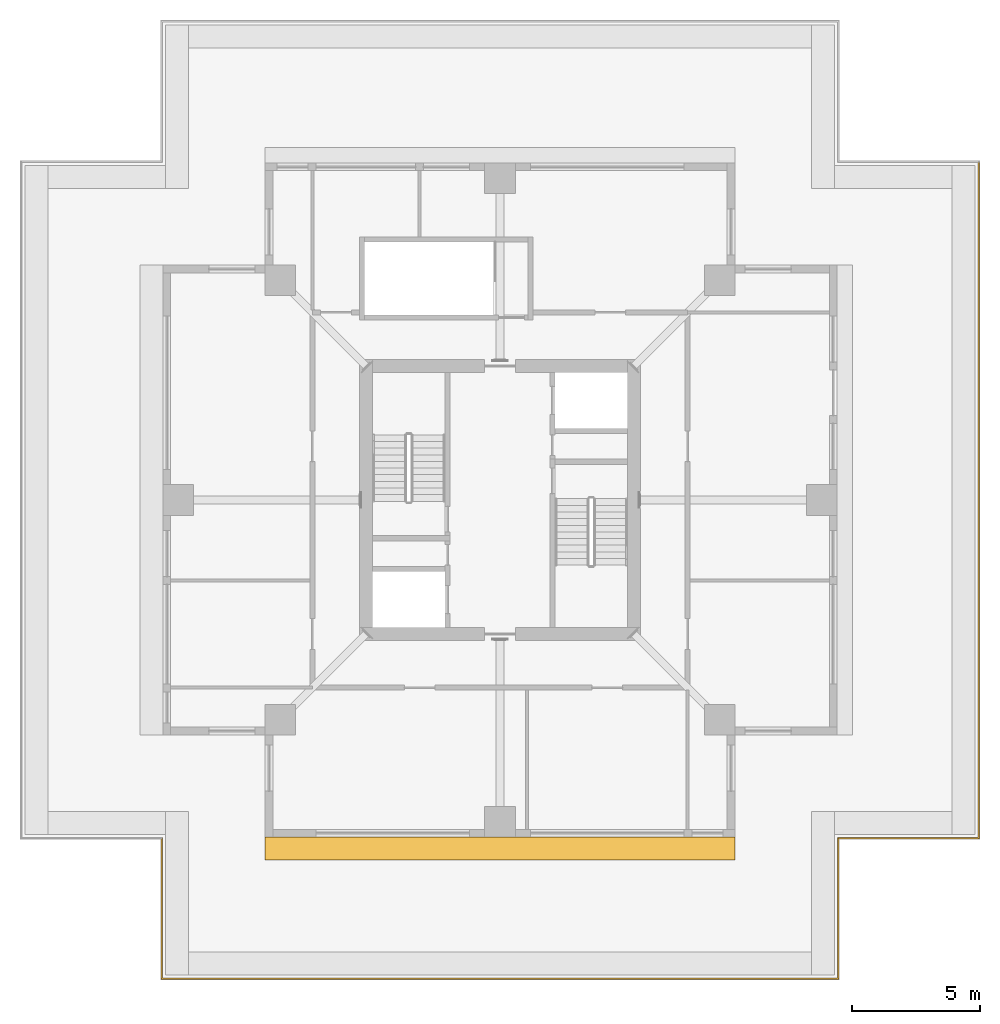
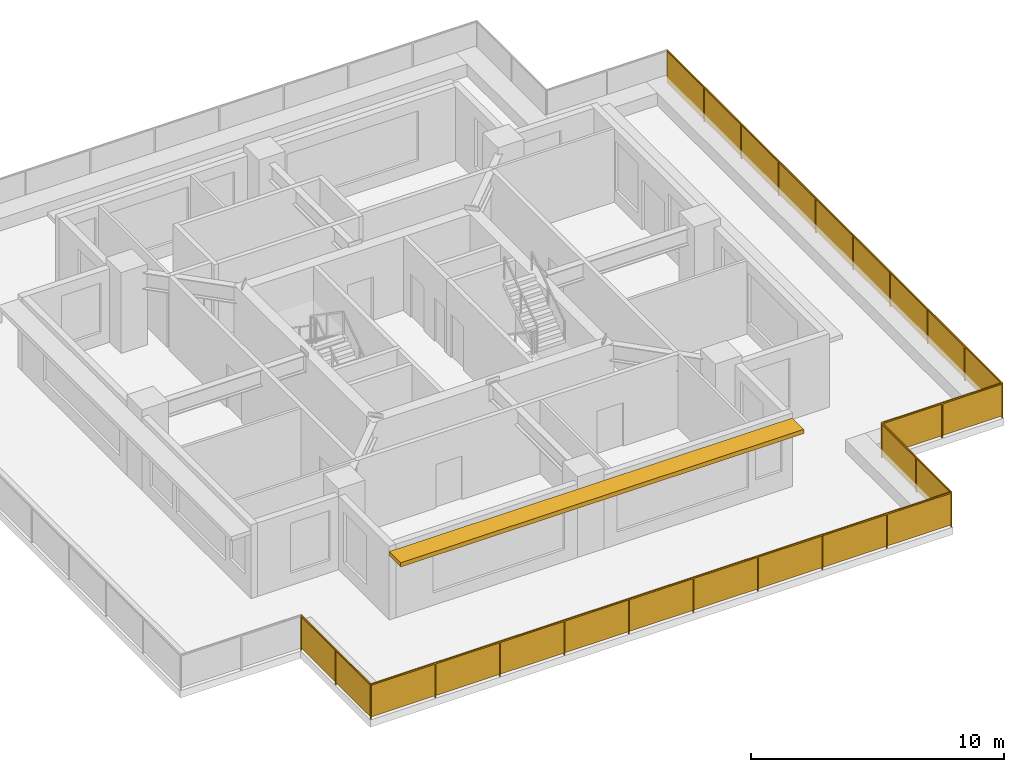
# One storey, part 6 of 8: 1 railing, 1 shading device.
"""IFC4 building model written with IfcOpenShell, lengths in metres."""

from ifc_helpers import new_model, si_unit, direction, frame, origin, origin_2d, place, context, subcontext, project, spatial, polyline, rectangle, outline, extrude, material, layer, layer_set, type_object, element, save


model = new_model("IFC4")

# Units and contexts
model_context = context("Model", 3, precision=1e-05, world=origin(), true_north=direction((0.0, 1.0)))
body_context = subcontext(model_context, "Body", "Model", "MODEL_VIEW")
ifc_project = project(units=[si_unit("LENGTHUNIT", "METRE"), si_unit("AREAUNIT", "SQUARE_METRE"), si_unit("VOLUMEUNIT", "CUBIC_METRE"), si_unit("PLANEANGLEUNIT", "RADIAN"), si_unit("MASSUNIT", "GRAM", prefix="KILO")], contexts=[model_context])

# Site, building, storey
site_placement = place(None, origin())
site = spatial("IfcSite", under=ifc_project, at=site_placement, CompositionType="ELEMENT")
building_placement = place(site_placement, origin())
building = spatial("IfcBuilding", under=site, at=building_placement, Name="Khepri Terraces", CompositionType="ELEMENT")
storey_placement = place(building_placement, frame((0.0, 0.0, 312.300048828125)))
storey = spatial("IfcBuildingStorey", under=building, at=storey_placement, Name="L75", CompositionType="ELEMENT", Elevation=312.300048828125)

# Railing
ifc_material_1 = material(Name="Stainless steel grade 316", Category="steel")
railing_type = type_object("IfcRailingType", Name="GRD-TERR-1700", PredefinedType="GUARDRAIL", material=ifc_material_1)
railing_placement = place(storey_placement, frame((18.75, 13.25, 0.0)))
element("IfcRailing", 1, at=railing_placement, inside=storey, type_object=railing_type, Name="Terrace guard L75", PredefinedType="GUARDRAIL", context=body_context, shape_type="SweptSolid", body=[
    extrude(rectangle(XDim=0.050048828125, YDim=0.06005859375, at=origin_2d()), frame((0.0, 0.0, 1.669921875), z_axis=(0.0, -1.0, 0.0), x_axis=(1.0, 0.0, 0.0)), (0.0, 0.0, 1.0), 26.5),
    extrude(rectangle(XDim=2.894287109375, YDim=0.011962890625, at=origin_2d()), frame((0.0, -1.47216796875, 0.10009765625), z_axis=(0.0, 0.0, 1.0), x_axis=(0.0, -1.0, 0.0)), (0.0, 0.0, 1.0), 1.539794921875),
    extrude(rectangle(XDim=2.894287109375, YDim=0.011962890625, at=origin_2d()), frame((0.0, -4.416748046875, 0.10009765625), z_axis=(0.0, 0.0, 1.0), x_axis=(0.0, -1.0, 0.0)), (0.0, 0.0, 1.0), 1.539794921875),
    extrude(rectangle(XDim=2.894287109375, YDim=0.011962890625, at=origin_2d()), frame((0.0, -7.361083984375, 0.10009765625), z_axis=(0.0, 0.0, 1.0), x_axis=(0.0, -1.0, 0.0)), (0.0, 0.0, 1.0), 1.539794921875),
    extrude(rectangle(XDim=2.894287109375, YDim=0.011962890625, at=origin_2d()), frame((0.0, -10.3056640625, 0.10009765625), z_axis=(0.0, 0.0, 1.0), x_axis=(0.0, -1.0, 0.0)), (0.0, 0.0, 1.0), 1.539794921875),
    extrude(rectangle(XDim=2.894287109375, YDim=0.011962890625, at=origin_2d()), frame((0.0, -13.25, 0.10009765625), z_axis=(0.0, 0.0, 1.0), x_axis=(0.0, -1.0, 0.0)), (0.0, 0.0, 1.0), 1.539794921875),
    extrude(rectangle(XDim=2.894287109375, YDim=0.011962890625, at=origin_2d()), frame((0.0, -16.1943359375, 0.10009765625), z_axis=(0.0, 0.0, 1.0), x_axis=(0.0, -1.0, 0.0)), (0.0, 0.0, 1.0), 1.539794921875),
    extrude(rectangle(XDim=2.894287109375, YDim=0.011962890625, at=origin_2d()), frame((0.0, -19.138916015625, 0.10009765625), z_axis=(0.0, 0.0, 1.0), x_axis=(0.0, -1.0, 0.0)), (0.0, 0.0, 1.0), 1.539794921875),
    extrude(rectangle(XDim=2.894287109375, YDim=0.011962890625, at=origin_2d()), frame((0.0, -22.083251953125, 0.10009765625), z_axis=(0.0, 0.0, 1.0), x_axis=(0.0, -1.0, 0.0)), (0.0, 0.0, 1.0), 1.539794921875),
    extrude(rectangle(XDim=2.894287109375, YDim=0.011962890625, at=origin_2d()), frame((0.0, -25.02783203125, 0.10009765625), z_axis=(0.0, 0.0, 1.0), x_axis=(0.0, -1.0, 0.0)), (0.0, 0.0, 1.0), 1.539794921875),
    extrude(rectangle(XDim=0.050048828125, YDim=0.06005859375, at=origin_2d()), frame((0.0, -26.5, 1.669921875), z_axis=(-1.0, 0.0, 0.0), x_axis=(0.0, -1.0, 0.0)), (0.0, 0.0, 1.0), 5.5),
    extrude(rectangle(XDim=2.699951171875, YDim=0.011962890625, at=origin_2d()), frame((-1.375, -26.5, 0.10009765625), z_axis=(0.0, 0.0, 1.0), x_axis=(-1.0, 0.0, 0.0)), (0.0, 0.0, 1.0), 1.539794921875),
    extrude(rectangle(XDim=2.699951171875, YDim=0.011962890625, at=origin_2d()), frame((-4.125, -26.5, 0.10009765625), z_axis=(0.0, 0.0, 1.0), x_axis=(-1.0, 0.0, 0.0)), (0.0, 0.0, 1.0), 1.539794921875),
    extrude(rectangle(XDim=0.050048828125, YDim=0.06005859375, at=origin_2d()), frame((-5.5, -26.5, 1.669921875), z_axis=(0.0, -1.0, 0.0), x_axis=(1.0, 0.0, 0.0)), (0.0, 0.0, 1.0), 5.5),
    extrude(rectangle(XDim=2.699951171875, YDim=0.011962890625, at=origin_2d()), frame((-5.5, -27.875, 0.10009765625), z_axis=(0.0, 0.0, 1.0), x_axis=(0.0, -1.0, 0.0)), (0.0, 0.0, 1.0), 1.539794921875),
    extrude(rectangle(XDim=2.699951171875, YDim=0.011962890625, at=origin_2d()), frame((-5.5, -30.625, 0.10009765625), z_axis=(0.0, 0.0, 1.0), x_axis=(0.0, -1.0, 0.0)), (0.0, 0.0, 1.0), 1.539794921875),
    extrude(rectangle(XDim=0.050048828125, YDim=0.06005859375, at=origin_2d()), frame((-5.5, -32.0, 1.669921875), z_axis=(-1.0, 0.0, 0.0), x_axis=(0.0, -1.0, 0.0)), (0.0, 0.0, 1.0), 26.5),
    extrude(rectangle(XDim=2.894287109375, YDim=0.011962890625, at=origin_2d()), frame((-6.97216796875, -32.0, 0.10009765625), z_axis=(0.0, 0.0, 1.0), x_axis=(-1.0, 0.0, 0.0)), (0.0, 0.0, 1.0), 1.539794921875),
    extrude(rectangle(XDim=2.894287109375, YDim=0.011962890625, at=origin_2d()), frame((-9.916748046875, -32.0, 0.10009765625), z_axis=(0.0, 0.0, 1.0), x_axis=(-1.0, 0.0, 0.0)), (0.0, 0.0, 1.0), 1.539794921875),
    extrude(rectangle(XDim=2.894287109375, YDim=0.011962890625, at=origin_2d()), frame((-12.861083984375, -32.0, 0.10009765625), z_axis=(0.0, 0.0, 1.0), x_axis=(-1.0, 0.0, 0.0)), (0.0, 0.0, 1.0), 1.539794921875),
    extrude(rectangle(XDim=2.894287109375, YDim=0.011962890625, at=origin_2d()), frame((-15.8056640625, -32.0, 0.10009765625), z_axis=(0.0, 0.0, 1.0), x_axis=(-1.0, 0.0, 0.0)), (0.0, 0.0, 1.0), 1.539794921875),
    extrude(rectangle(XDim=2.894287109375, YDim=0.011962890625, at=origin_2d()), frame((-18.75, -32.0, 0.10009765625), z_axis=(0.0, 0.0, 1.0), x_axis=(-1.0, 0.0, 0.0)), (0.0, 0.0, 1.0), 1.539794921875),
    extrude(rectangle(XDim=2.894287109375, YDim=0.011962890625, at=origin_2d()), frame((-21.6943359375, -32.0, 0.10009765625), z_axis=(0.0, 0.0, 1.0), x_axis=(-1.0, 0.0, 0.0)), (0.0, 0.0, 1.0), 1.539794921875),
    extrude(rectangle(XDim=2.894287109375, YDim=0.011962890625, at=origin_2d()), frame((-24.638916015625, -32.0, 0.10009765625), z_axis=(0.0, 0.0, 1.0), x_axis=(-1.0, 0.0, 0.0)), (0.0, 0.0, 1.0), 1.539794921875),
    extrude(rectangle(XDim=2.894287109375, YDim=0.011962890625, at=origin_2d()), frame((-27.583251953125, -32.0, 0.10009765625), z_axis=(0.0, 0.0, 1.0), x_axis=(-1.0, 0.0, 0.0)), (0.0, 0.0, 1.0), 1.539794921875),
    extrude(rectangle(XDim=2.894287109375, YDim=0.011962890625, at=origin_2d()), frame((-30.52783203125, -32.0, 0.10009765625), z_axis=(0.0, 0.0, 1.0), x_axis=(-1.0, 0.0, 0.0)), (0.0, 0.0, 1.0), 1.539794921875),
    extrude(rectangle(XDim=0.050048828125, YDim=0.06005859375, at=origin_2d()), frame((-32.0, -32.0, 1.669921875), z_axis=(0.0, 1.0, 0.0), x_axis=(-1.0, 0.0, 0.0)), (0.0, 0.0, 1.0), 5.5),
    extrude(rectangle(XDim=2.699951171875, YDim=0.011962890625, at=origin_2d()), frame((-32.0, -30.625, 0.10009765625), z_axis=(0.0, 0.0, 1.0), x_axis=(0.0, 1.0, 0.0)), (0.0, 0.0, 1.0), 1.539794921875),
    extrude(rectangle(XDim=2.699951171875, YDim=0.011962890625, at=origin_2d()), frame((-32.0, -27.875, 0.10009765625), z_axis=(0.0, 0.0, 1.0), x_axis=(0.0, 1.0, 0.0)), (0.0, 0.0, 1.0), 1.539794921875),
    extrude(rectangle(XDim=0.050048828125, YDim=0.050048828125, at=origin_2d()), frame((0.0, -2.9443359375, 0.0)), (0.0, 0.0, 1.0), 1.639892578125),
    extrude(rectangle(XDim=0.050048828125, YDim=0.050048828125, at=origin_2d()), frame((0.0, -5.888916015625, 0.0)), (0.0, 0.0, 1.0), 1.639892578125),
    extrude(rectangle(XDim=0.050048828125, YDim=0.050048828125, at=origin_2d()), frame((0.0, -8.833251953125, 0.0)), (0.0, 0.0, 1.0), 1.639892578125),
    extrude(rectangle(XDim=0.050048828125, YDim=0.050048828125, at=origin_2d()), frame((0.0, -11.77783203125, 0.0)), (0.0, 0.0, 1.0), 1.639892578125),
    extrude(rectangle(XDim=0.050048828125, YDim=0.050048828125, at=origin_2d()), frame((0.0, -14.72216796875, 0.0)), (0.0, 0.0, 1.0), 1.639892578125),
    extrude(rectangle(XDim=0.050048828125, YDim=0.050048828125, at=origin_2d()), frame((0.0, -17.666748046875, 0.0)), (0.0, 0.0, 1.0), 1.639892578125),
    extrude(rectangle(XDim=0.050048828125, YDim=0.050048828125, at=origin_2d()), frame((0.0, -20.611083984375, 0.0)), (0.0, 0.0, 1.0), 1.639892578125),
    extrude(rectangle(XDim=0.050048828125, YDim=0.050048828125, at=origin_2d()), frame((0.0, -23.5556640625, 0.0)), (0.0, 0.0, 1.0), 1.639892578125),
    extrude(rectangle(XDim=0.050048828125, YDim=0.050048828125, at=origin_2d()), frame((0.0, -26.5, 0.0)), (0.0, 0.0, 1.0), 1.639892578125),
    extrude(rectangle(XDim=0.050048828125, YDim=0.050048828125, at=origin_2d()), frame((-2.75, -26.5, 0.0)), (0.0, 0.0, 1.0), 1.639892578125),
    extrude(rectangle(XDim=0.050048828125, YDim=0.050048828125, at=origin_2d()), frame((-5.5, -26.5, 0.0)), (0.0, 0.0, 1.0), 1.639892578125),
    extrude(rectangle(XDim=0.050048828125, YDim=0.050048828125, at=origin_2d()), frame((-5.5, -29.25, 0.0)), (0.0, 0.0, 1.0), 1.639892578125),
    extrude(rectangle(XDim=0.050048828125, YDim=0.050048828125, at=origin_2d()), frame((-5.5, -32.0, 0.0)), (0.0, 0.0, 1.0), 1.639892578125),
    extrude(rectangle(XDim=0.050048828125, YDim=0.050048828125, at=origin_2d()), frame((-8.4443359375, -32.0, 0.0)), (0.0, 0.0, 1.0), 1.639892578125),
    extrude(rectangle(XDim=0.050048828125, YDim=0.050048828125, at=origin_2d()), frame((-11.388916015625, -32.0, 0.0)), (0.0, 0.0, 1.0), 1.639892578125),
    extrude(rectangle(XDim=0.050048828125, YDim=0.050048828125, at=origin_2d()), frame((-14.333251953125, -32.0, 0.0)), (0.0, 0.0, 1.0), 1.639892578125),
    extrude(rectangle(XDim=0.050048828125, YDim=0.050048828125, at=origin_2d()), frame((-17.27783203125, -32.0, 0.0)), (0.0, 0.0, 1.0), 1.639892578125),
    extrude(rectangle(XDim=0.050048828125, YDim=0.050048828125, at=origin_2d()), frame((-20.22216796875, -32.0, 0.0)), (0.0, 0.0, 1.0), 1.639892578125),
    extrude(rectangle(XDim=0.050048828125, YDim=0.050048828125, at=origin_2d()), frame((-23.166748046875, -32.0, 0.0)), (0.0, 0.0, 1.0), 1.639892578125),
    extrude(rectangle(XDim=0.050048828125, YDim=0.050048828125, at=origin_2d()), frame((-26.111083984375, -32.0, 0.0)), (0.0, 0.0, 1.0), 1.639892578125),
    extrude(rectangle(XDim=0.050048828125, YDim=0.050048828125, at=origin_2d()), frame((-29.0556640625, -32.0, 0.0)), (0.0, 0.0, 1.0), 1.639892578125),
    extrude(rectangle(XDim=0.050048828125, YDim=0.050048828125, at=origin_2d()), frame((-32.0, -32.0, 0.0)), (0.0, 0.0, 1.0), 1.639892578125),
    extrude(rectangle(XDim=0.050048828125, YDim=0.050048828125, at=origin_2d()), frame((-32.0, -29.25, 0.0)), (0.0, 0.0, 1.0), 1.639892578125),
    extrude(rectangle(XDim=0.050048828125, YDim=0.050048828125, at=origin_2d()), frame((-32.0, -26.5, 0.0)), (0.0, 0.0, 1.0), 1.639892578125),
])

# Shading device
ifc_material_2 = material(Name="Precast concrete C50/60 warm stone", Category="masonry")
ifc_layer = layer(ifc_material_2, 0.199951171875, Name="Precast concrete C50/60 warm stone", Category="masonry")
ifc_layer_set = layer_set([ifc_layer], Name="Precast concrete C50/60 warm stone")
shading_device_type = type_object("IfcShadingDeviceType", Name="SSH-BAND-STONE-200", PredefinedType="USERDEFINED", material=ifc_layer_set)
shading_device_placement = place(storey_placement, frame((0.0, 0.0, 3.099853515625)))
element("IfcShadingDevice", 2, at=shading_device_placement, inside=storey, type_object=shading_device_type, Name="Sunshade band L75 S", ObjectType="SUNSHADE", PredefinedType="USERDEFINED", context=body_context, shape_type="SweptSolid", body=[
    extrude(outline(polyline([(-9.199951171875, -13.199951171875), (-9.199951171875, -14.10009765625), (9.199951171875, -14.10009765625), (9.199951171875, -13.199951171875), (-9.199951171875, -13.199951171875)])), origin(), (0.0, 0.0, 1.0), 0.2001953125),
])

save(model, "model.ifc")
